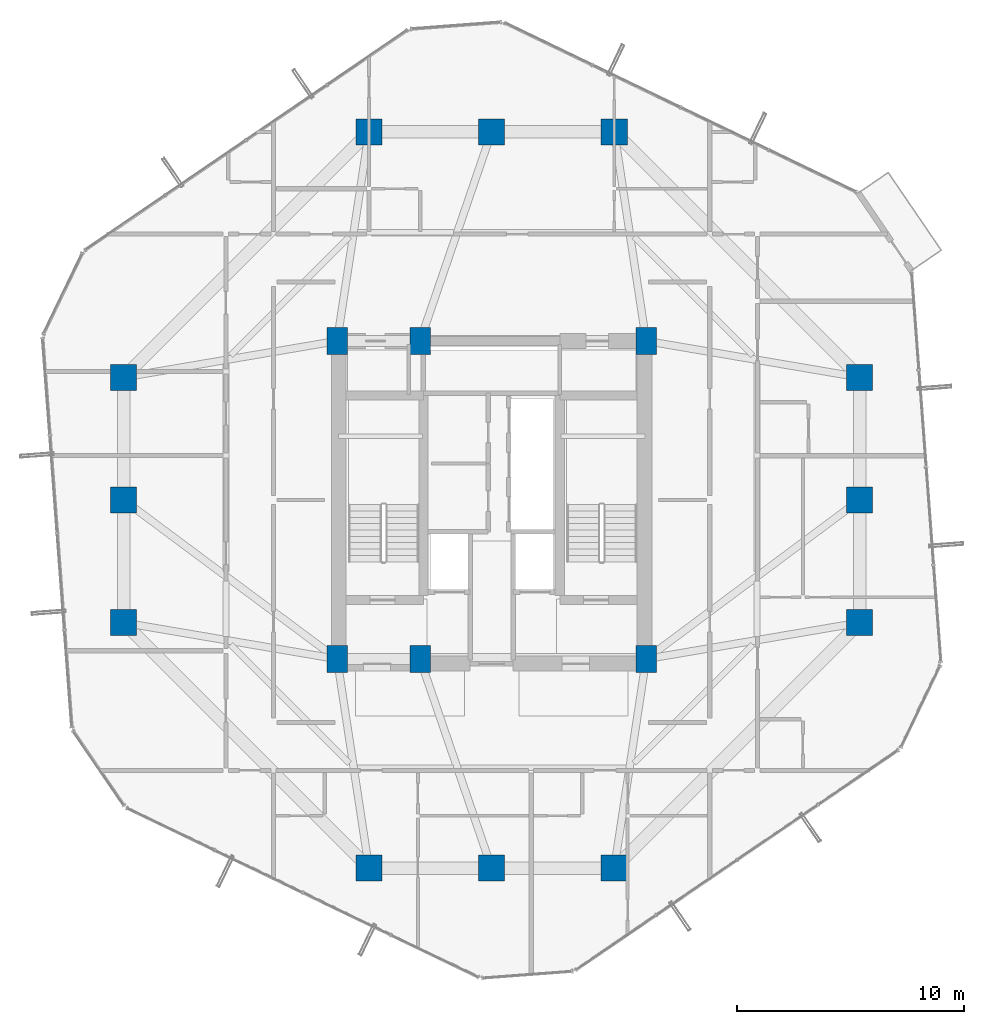
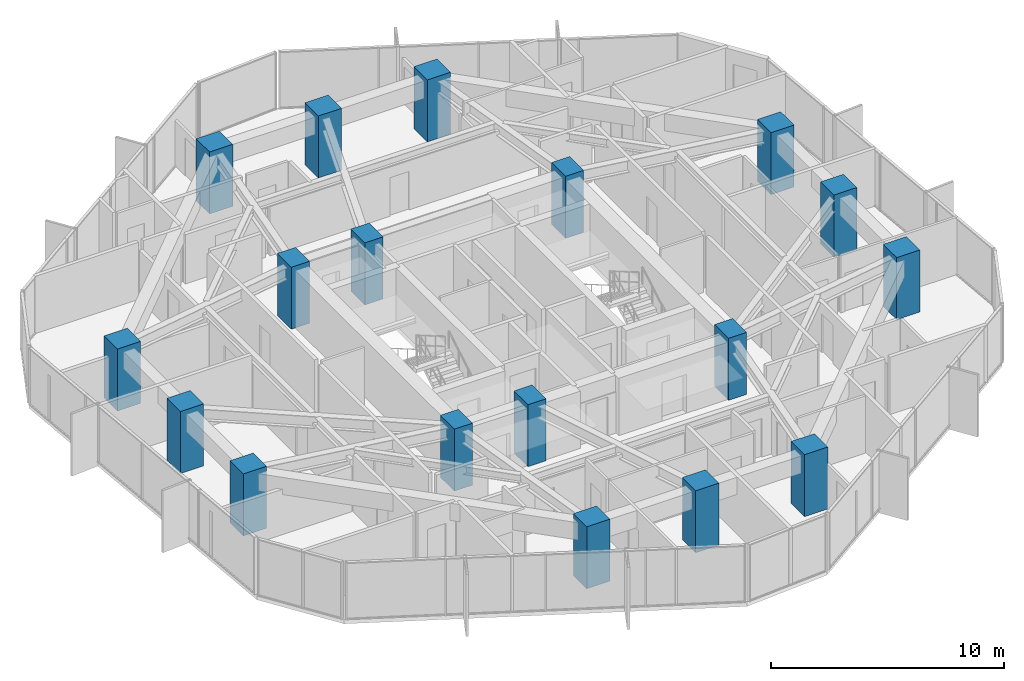
# One storey, part 1 of 35: 18 columns.
"""IFC4 building model written with IfcOpenShell, lengths in metres."""

from ifc_helpers import new_model, si_unit, direction, frame, origin, origin_2d, place, context, subcontext, project, spatial, rectangle, extrude, material, material_profile, profile_set, type_object, element, save


model = new_model("IFC4")

# Units and contexts
model_context = context("Model", 3, precision=1e-05, world=origin(), true_north=direction((0.0, 1.0)))
body_context = subcontext(model_context, "Body", "Model", "MODEL_VIEW")
ifc_project = project(units=[si_unit("LENGTHUNIT", "METRE"), si_unit("AREAUNIT", "SQUARE_METRE"), si_unit("VOLUMEUNIT", "CUBIC_METRE"), si_unit("PLANEANGLEUNIT", "RADIAN"), si_unit("MASSUNIT", "GRAM", prefix="KILO")], contexts=[model_context])

# Site, building, storey
site_placement = place(None, origin())
site = spatial("IfcSite", under=ifc_project, at=site_placement, CompositionType="ELEMENT")
building_placement = place(site_placement, origin())
building = spatial("IfcBuilding", under=site, at=building_placement, Name="Veraguas Prism Commons", CompositionType="ELEMENT")
storey_placement = place(building_placement, frame((0.0, 0.0, 142.5)))
storey = spatial("IfcBuildingStorey", under=building, at=storey_placement, Name="L40", CompositionType="ELEMENT", Elevation=142.5)

# Columns
ifc_material = material(Name="Concrete C60/75", Category="concrete")
ifc_material_profile_1 = material_profile(ifc_material, rectangle(XDim=1.14990234375, YDim=1.14990234375, at=origin_2d()), Name="RC1150X1150")
ifc_profile_set_1 = profile_set([ifc_material_profile_1], Name="Concrete C60/75")
column_type_1 = type_object("IfcColumnType", Name="Column Tube Z2 RC 1150x1150", PredefinedType="COLUMN", material=ifc_profile_set_1)
for number, where, z_axis, x_axis, name in (
    (1, (40.199951171875, 18.60009765625, 0.0), (0.0, 0.0, 1.0), (1.0, 0.0, 0.0), "Tower Perimeter Column L40-TB01"),
    (2, (40.199951171875, 24.0, 0.0), (0.0, 0.0, 1.0), (1.0, 0.0, 0.0), "Tower Perimeter Column L40-TB02"),
    (3, (40.199951171875, 29.39990234375, 0.0), (0.0, 0.0, 1.0), (1.0, 0.0, 0.0), "Tower Perimeter Column L40-TB03"),
    (4, (29.39990234375, 40.199951171875, 0.0), (0.0, 0.0, 1.0), (1.0, 0.0, 0.0), "Tower Perimeter Column L40-TB04"),
    (5, (24.0, 40.199951171875, 0.0), (0.0, 0.0, 1.0), (1.0, 0.0, 0.0), "Tower Perimeter Column L40-TB05"),
    (6, (18.60009765625, 40.199951171875, 0.0), (0.0, 0.0, 1.0), (1.0, 0.0, 0.0), "Tower Perimeter Column L40-TB06"),
    (7, (7.800048828125, 29.39990234375, 0.0), (0.0, 0.0, 1.0), (1.0, 0.0, 0.0), "Tower Perimeter Column L40-TB07"),
    (8, (7.800048828125, 24.0, 0.0), (0.0, 0.0, 1.0), (1.0, 0.0, 0.0), "Tower Perimeter Column L40-TB08"),
    (9, (7.800048828125, 18.60009765625, 0.0), (0.0, 0.0, 1.0), (1.0, 0.0, 0.0), "Tower Perimeter Column L40-TB09"),
    (10, (18.60009765625, 7.800048828125, 0.0), (0.0, 0.0, 1.0), (1.0, 0.0, 0.0), "Tower Perimeter Column L40-TB10"),
    (11, (24.0, 7.800048828125, 0.0), (0.0, 0.0, 1.0), (1.0, 0.0, 0.0), "Tower Perimeter Column L40-TB11"),
    (12, (29.39990234375, 7.800048828125, 0.0), (0.0, 0.0, 1.0), (1.0, 0.0, 0.0), "Tower Perimeter Column L40-TB12"),
):
    element("IfcColumn", number, at=place(storey_placement, frame(where, z_axis=z_axis, x_axis=x_axis)), inside=storey, type_object=column_type_1, Name=name, PredefinedType="COLUMN", context=body_context, shape_type="SweptSolid", body=[
        extrude(rectangle(XDim=1.14990234375, YDim=1.14990234375, at=origin_2d()), origin(), (0.0, 0.0, 1.0), 3.25),
    ])
ifc_material_profile_2 = material_profile(ifc_material, rectangle(XDim=0.89990234375, YDim=1.199951171875, at=origin_2d()), Name="RC900X1200")
ifc_profile_set_2 = profile_set([ifc_material_profile_2], Name="Concrete C60/75")
column_type_2 = type_object("IfcColumnType", Name="Pilaster Core Lower RC 900x1200", PredefinedType="PILASTER", material=ifc_profile_set_2)
for number, where, z_axis, x_axis, name in (
    (13, (17.199951171875, 17.0, 0.0), (0.0, 0.0, 1.0), (1.0, 0.0, 0.0), "Core Pilaster Column L40-CR1"),
    (14, (20.85009765625, 17.0, 0.0), (0.0, 0.0, 1.0), (1.0, 0.0, 0.0), "Core Pilaster Column L40-CR2"),
    (15, (30.800048828125, 17.0, 0.0), (0.0, 0.0, 1.0), (1.0, 0.0, 0.0), "Core Pilaster Column L40-CR3"),
    (16, (17.199951171875, 31.0, 0.0), (0.0, 0.0, 1.0), (1.0, 0.0, 0.0), "Core Pilaster Column L40-CR4"),
    (17, (20.85009765625, 31.0, 0.0), (0.0, 0.0, 1.0), (1.0, 0.0, 0.0), "Core Pilaster Column L40-CR5"),
    (18, (30.800048828125, 31.0, 0.0), (0.0, 0.0, 1.0), (1.0, 0.0, 0.0), "Core Pilaster Column L40-CR6"),
):
    element("IfcColumn", number, at=place(storey_placement, frame(where, z_axis=z_axis, x_axis=x_axis)), inside=storey, type_object=column_type_2, Name=name, PredefinedType="PILASTER", context=body_context, shape_type="SweptSolid", body=[
        extrude(rectangle(XDim=0.89990234375, YDim=1.199951171875, at=origin_2d()), origin(), (0.0, 0.0, 1.0), 3.25),
    ])

save(model, "model.ifc")
